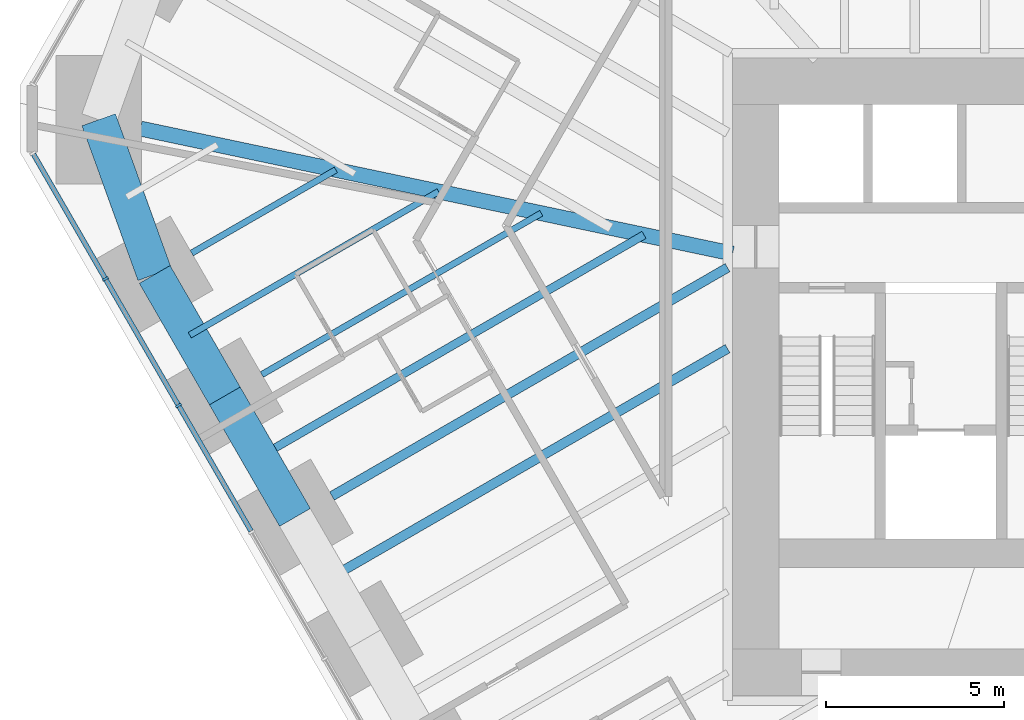
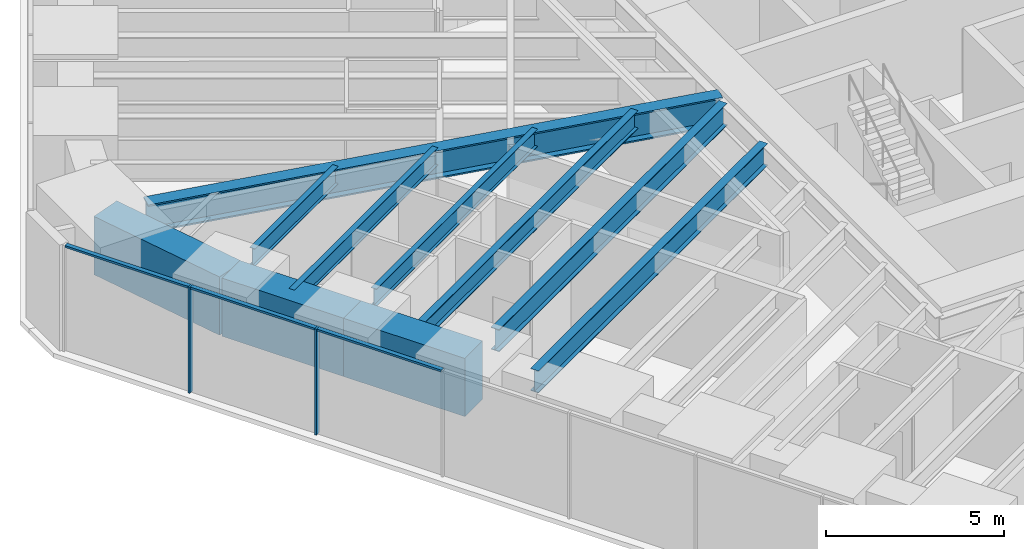
# One storey, part 3 of 17: 10 beams, 5 members, 1 element without a shape of its own.
"""IFC4 building model written with IfcOpenShell, lengths in metres."""

import ifcopenshell
import ifcopenshell.guid

model = None  # the IFC model being written
_history = None  # IfcOwnerHistory: only IFC2X3 demands one
_inside = {}  # id of a spatial element -> (the spatial element, [elements in it])
_under = {}  # id of a project, library or spatial element -> (it, [spatial elements below it])
_declared = {}  # id of a project -> (the project, [libraries it declares])
_typed = {}  # id of a type object -> (the type object, [elements of that type])
_made_of = {}  # id of a material, layer set ... -> (it, [elements and type objects made of it])


def new_model(schema):
    """Start an empty IFC model of exactly this schema.

    Asked for "IFC4X3", IfcOpenShell would pick the latest addendum, in which some entities
    have other attributes; the version numbers below select the first issue.
    IFC2X3 requires an IfcOwnerHistory on every rooted entity: one is made here for all.
    """
    global model, _history
    if schema == "IFC4X3":
        model = ifcopenshell.file(schema_version=(4, 3, 0, 0))
    else:
        model = ifcopenshell.file(schema=schema)
    _inside.clear()
    _under.clear()
    _declared.clear()
    _typed.clear()
    _made_of.clear()
    _history = None
    if model.schema == "IFC2X3":
        org = make("IfcOrganization", Name="unknown")
        user = make(
            "IfcPersonAndOrganization",
            ThePerson=make("IfcPerson", FamilyName="unknown"),
            TheOrganization=org,
        )
        app = make(
            "IfcApplication",
            ApplicationDeveloper=org,
            Version="unknown",
            ApplicationFullName="unknown",
            ApplicationIdentifier="unknown",
        )
        _history = make(
            "IfcOwnerHistory",
            OwningUser=user,
            OwningApplication=app,
            ChangeAction="ADDED",
            CreationDate=0,
        )
    return model


def make(cls, **values):
    """One entity of the class cls with the attributes given. An attribute that is None is left unset."""
    return model.create_entity(
        cls, **{name: value for name, value in values.items() if value is not None}
    )


def rooted(cls, **values):
    """An entity with a GlobalId (a new one), such as an element, a storey or a relation."""
    return make(cls, GlobalId=ifcopenshell.guid.new(), OwnerHistory=_history, **values)


def si_unit(unit_type, name, prefix=None):
    """IfcSIUnit, for example si_unit("LENGTHUNIT", "METRE", prefix="MILLI")."""
    return make("IfcSIUnit", UnitType=unit_type, Prefix=prefix, Name=name)


def assignment(units):
    """IfcUnitAssignment: the units of a project."""
    return None if units is None else make("IfcUnitAssignment", Units=units)


def point(xyz):
    """IfcCartesianPoint."""
    return None if xyz is None else make("IfcCartesianPoint", Coordinates=xyz)


def direction(xyz):
    """IfcDirection."""
    return None if xyz is None else make("IfcDirection", DirectionRatios=xyz)


def frame(location, z_axis=None, x_axis=None):
    """IfcAxis2Placement3D, a coordinate frame: its origin and axes. An axis left out is left unset."""
    return make(
        "IfcAxis2Placement3D",
        Location=point(location),
        Axis=direction(z_axis),
        RefDirection=direction(x_axis),
    )


def frame_2d(location, x_axis=None):
    """IfcAxis2Placement2D, a coordinate frame in the plane: its origin and x axis."""
    return make(
        "IfcAxis2Placement2D", Location=point(location), RefDirection=direction(x_axis)
    )


def origin():
    """The frame at (0, 0, 0) with its axes left unset."""
    return frame((0.0, 0.0, 0.0))


def origin_2d():
    """The frame at (0, 0) in the plane with its x axis left unset."""
    return frame_2d((0.0, 0.0))


def place(relative_to, where):
    """IfcLocalPlacement: puts the frame where relative to a parent placement (None: the world)."""
    return make(
        "IfcLocalPlacement", PlacementRelTo=relative_to, RelativePlacement=where
    )


def context(
    kind, dimensions, precision=None, world=None, true_north=None, identifier=None
):
    """IfcGeometricRepresentationContext, for example the 3D "Model" context."""
    return make(
        "IfcGeometricRepresentationContext",
        ContextIdentifier=identifier,
        ContextType=kind,
        CoordinateSpaceDimension=dimensions,
        Precision=precision,
        WorldCoordinateSystem=world,
        TrueNorth=true_north,
    )


def subcontext(parent, identifier, kind, view, scale=None):
    """IfcGeometricRepresentationSubContext, for example "Body" below "Model"."""
    return make(
        "IfcGeometricRepresentationSubContext",
        ContextIdentifier=identifier,
        ContextType=kind,
        ParentContext=parent,
        TargetScale=scale,
        TargetView=view,
    )


def project(units=None, contexts=None):
    """IfcProject with its units and contexts."""
    return rooted(
        "IfcProject",
        Name="project",
        RepresentationContexts=contexts,
        UnitsInContext=assignment(units),
    )


def spatial(cls, under=None, at=None, **own):
    """A site, building, storey or space (cls), placed at a placement, below another one or the project."""
    s = rooted(cls, ObjectPlacement=at, **own)
    if under is not None:
        _under.setdefault(under.id(), (under, []))[1].append(s)
    return s


def profile(cls, at=None, kind="AREA", **sizes):
    """A parametric profile (cls). Its sizes go by their IFC names, for example OverallWidth=200.0."""
    return make(cls, ProfileType=kind, Position=at, **sizes)


def rectangle(**sizes):
    """IfcRectangleProfileDef."""
    return profile("IfcRectangleProfileDef", **sizes)


def i_section(**sizes):
    """IfcIShapeProfileDef."""
    return profile("IfcIShapeProfileDef", **sizes)


def extrude(swept, where, along, depth):
    """IfcExtrudedAreaSolid: the profile swept, set in the frame where, extruded along a direction by depth."""
    return make(
        "IfcExtrudedAreaSolid",
        SweptArea=swept,
        Position=where,
        ExtrudedDirection=direction(along),
        Depth=depth,
    )


def shape(context_of_items, identifier, shape_type, items):
    """IfcShapeRepresentation: the items that make up one representation, for example the "Body"."""
    return make(
        "IfcShapeRepresentation",
        ContextOfItems=context_of_items,
        RepresentationIdentifier=identifier,
        RepresentationType=shape_type,
        Items=items,
    )


def material(Name=None, Category=None):
    """IfcMaterial."""
    return make("IfcMaterial", Name=Name, Category=Category)


def material_profile(
    of_material, cross_section, Name=None, Category=None, Priority=None
):
    """IfcMaterialProfile: a cross section and its material."""
    return make(
        "IfcMaterialProfile",
        Name=Name,
        Material=of_material,
        Profile=cross_section,
        Priority=Priority,
        Category=Category,
    )


def profile_set(profiles, Name=None, composite=None):
    """IfcMaterialProfileSet."""
    return make(
        "IfcMaterialProfileSet",
        Name=Name,
        MaterialProfiles=profiles,
        CompositeProfile=composite,
    )


def made_of(thing, what):
    """Note that an element or type object is made of a material, layer set ...; save() writes the relation."""
    if what is not None:
        _made_of.setdefault(what.id(), (what, []))[1].append(thing)
    return thing


def type_object(cls, material=None, **own):
    """A type object (cls), such as IfcWallType, which elements share."""
    return made_of(rooted(cls, **own), material)


def element(
    cls,
    number,
    at=None,
    inside=None,
    cuts=None,
    type_object=None,
    material=None,
    context=None,
    identifier="Body",
    shape_type=None,
    held_by="IfcProductDefinitionShape",
    body=None,
    shapes=None,
    **own,
):
    """One element of the class cls, such as IfcWall. Its Tag is "e" and its number.

    at: its placement. inside: the storey or other place that contains it. cuts: it is an
    opening in that element (IfcRelVoidsElement). A single representation is given by context,
    identifier, shape_type and body (its items); several are given by shapes. held_by: the class
    of the entity that holds the representations. save() writes the other relations.
    """
    e = rooted(cls, Tag="e%d" % number, ObjectPlacement=at, **own)
    if body is not None:
        shapes = [shape(context, identifier, shape_type, body)]
    if shapes is not None:
        e.Representation = make(held_by, Representations=shapes)
    if inside is not None:
        _inside.setdefault(inside.id(), (inside, []))[1].append(e)
    if cuts is not None:
        rooted(
            "IfcRelVoidsElement", RelatingBuildingElement=cuts, RelatedOpeningElement=e
        )
    if type_object is not None:
        _typed.setdefault(type_object.id(), (type_object, []))[1].append(e)
    return made_of(e, material)


def aggregate(whole, parts):
    """IfcRelAggregates: a whole, such as a stair, and the parts it consists of."""
    return rooted("IfcRelAggregates", RelatingObject=whole, RelatedObjects=parts)


def save(model, path):
    """Write the relations noted so far, then the file.

    IfcRelAggregates (storeys below a building ...), IfcRelContainedInSpatialStructure (elements
    in a storey), IfcRelDefinesByType, IfcRelAssociatesMaterial and IfcRelDeclares: one each for
    every whole, place, type object, material and project.
    """
    for whole, parts in _under.values():
        aggregate(whole, parts)
    for where, things in _inside.values():
        rooted(
            "IfcRelContainedInSpatialStructure",
            RelatedElements=things,
            RelatingStructure=where,
        )
    for kind, things in _typed.values():
        rooted("IfcRelDefinesByType", RelatedObjects=things, RelatingType=kind)
    for what, things in _made_of.values():
        rooted("IfcRelAssociatesMaterial", RelatedObjects=things, RelatingMaterial=what)
    for by, libraries in _declared.values():
        rooted("IfcRelDeclares", RelatingContext=by, RelatedDefinitions=libraries)
    model.write(path)


model = new_model("IFC4")

# Units and contexts
model_context = context("Model", 3, precision=1e-05, world=origin(), true_north=direction((0.0, 1.0)))
body_context = subcontext(model_context, "Body", "Model", "MODEL_VIEW")
ifc_project = project(units=[si_unit("LENGTHUNIT", "METRE"), si_unit("AREAUNIT", "SQUARE_METRE"), si_unit("VOLUMEUNIT", "CUBIC_METRE"), si_unit("PLANEANGLEUNIT", "RADIAN"), si_unit("MASSUNIT", "GRAM", prefix="KILO")], contexts=[model_context])

# Site, building, storey
site_placement = place(None, origin())
site = spatial("IfcSite", under=ifc_project, at=site_placement, CompositionType="ELEMENT")
building_placement = place(site_placement, origin())
building = spatial("IfcBuilding", under=site, at=building_placement, Name="Sandreach Pilgrim Tower", CompositionType="ELEMENT")
storey_placement = place(building_placement, frame((0.0, 0.0, 100.60009765625)))
storey = spatial("IfcBuildingStorey", under=building, at=storey_placement, Name="L24", CompositionType="ELEMENT", Elevation=100.60009765625)

# Curtain wall, members
ifc_material_1 = material(Name="Aluminium framed curtain wall", Category="aluminium")
curtain_wall_type = type_object("IfcCurtainWallType", Name="Hotel tower curtain wall", PredefinedType="NOTDEFINED", material=ifc_material_1)
curtain_wall_placement = place(storey_placement, origin())
curtain_wall = element("IfcCurtainWall", 1, at=curtain_wall_placement, inside=storey, type_object=curtain_wall_type, Name="CW-2 L24 SW", PredefinedType="NOTDEFINED")
ifc_material_2 = material(Name="Aluminium extrusion", Category="aluminium")
ifc_material_profile_1 = material_profile(ifc_material_2, rectangle(XDim=0.06494140625, YDim=0.179931640625, at=origin_2d()), Name="CW-2M 65X180")
ifc_profile_set_1 = profile_set([ifc_material_profile_1], Name="Aluminium extrusion")
member_type_1 = type_object("IfcMemberType", Name="CW-2 mullion", PredefinedType="MULLION", material=ifc_profile_set_1)
member_1_placement = place(storey_placement, frame((-24.614013671875, -2.35498046875, 0.0), z_axis=(0.0, 0.0, 1.0), x_axis=(-0.5, 0.866025403784, 0.0)))
member_1 = element("IfcMember", 2, at=member_1_placement, type_object=member_type_1, Name="CW-2 mullion 8", PredefinedType="MULLION", context=body_context, shape_type="SweptSolid", body=[
    extrude(rectangle(XDim=0.06494140625, YDim=0.179931640625, at=origin_2d()), origin(), (0.0, 0.0, 1.0), 3.639892578125),
])
member_2_placement = place(storey_placement, frame((-26.66748046875, 1.20166015625, 0.0), z_axis=(0.0, 0.0, 1.0), x_axis=(-0.5, 0.866025403784, 0.0)))
member_2 = element("IfcMember", 3, at=member_2_placement, type_object=member_type_1, Name="CW-2 mullion 9", PredefinedType="MULLION", context=body_context, shape_type="SweptSolid", body=[
    extrude(rectangle(XDim=0.06494140625, YDim=0.179931640625, at=origin_2d()), origin(), (0.0, 0.0, 1.0), 3.639892578125),
])
ifc_material_3 = material(Name="Aluminium extrusion", Category="aluminium")
ifc_material_profile_2 = material_profile(ifc_material_3, rectangle(XDim=0.139892578125, YDim=0.070068359375, at=origin_2d()), Name="CW-2T 140X70")
ifc_profile_set_2 = profile_set([ifc_material_profile_2], Name="Aluminium extrusion")
member_type_2 = type_object("IfcMemberType", Name="CW-2 transom", PredefinedType="USERDEFINED", material=ifc_profile_set_2)
member_3_placement = place(storey_placement, frame((-22.57666015625, -5.883544921875, 3.60498046875), z_axis=(-0.500023973715, 0.866011562111, 0.0), x_axis=(-0.866011562111, -0.500023973715, 0.0)))
member_3 = element("IfcMember", 4, at=member_3_placement, type_object=member_type_2, Name="CW-2 head transom 7", ObjectType="TRANSOM", PredefinedType="USERDEFINED", context=body_context, shape_type="SweptSolid", body=[
    extrude(rectangle(XDim=0.139892578125, YDim=0.070068359375, at=origin_2d()), origin(), (0.0, 0.0, 1.0), 4.041748046875),
])
member_4_placement = place(storey_placement, frame((-24.630126953125, -2.326904296875, 3.60498046875), z_axis=(-0.499997818338, 0.866026663364, 0.0), x_axis=(-0.866026663364, -0.499997818338, 0.0)))
member_4 = element("IfcMember", 5, at=member_4_placement, type_object=member_type_2, Name="CW-2 head transom 8", ObjectType="TRANSOM", PredefinedType="USERDEFINED", context=body_context, shape_type="SweptSolid", body=[
    extrude(rectangle(XDim=0.139892578125, YDim=0.070068359375, at=origin_2d()), origin(), (0.0, 0.0, 1.0), 4.0419921875),
])
member_5_placement = place(storey_placement, frame((-26.68359375, 1.229736328125, 3.60498046875), z_axis=(-0.500015851672, 0.866016251624, 0.0), x_axis=(-0.866016251624, -0.500015851672, 0.0)))
member_5 = element("IfcMember", 6, at=member_5_placement, type_object=member_type_2, Name="CW-2 head transom 9", ObjectType="TRANSOM", PredefinedType="USERDEFINED", context=body_context, shape_type="SweptSolid", body=[
    extrude(rectangle(XDim=0.139892578125, YDim=0.070068359375, at=origin_2d()), origin(), (0.0, 0.0, 1.0), 4.009521484375),
])
aggregate(curtain_wall, [member_1, member_2, member_3, member_4, member_5])

# Beams
ifc_material_4 = material(Name="Steel ASTM A992 Grade 50", Category="steel")
ifc_material_profile_3 = material_profile(ifc_material_4, i_section(OverallWidth=0.424072265625, OverallDepth=0.965087890625, WebThickness=0.028564453125, FlangeThickness=0.051025390625, at=origin_2d()), Name="W36X361")
ifc_profile_set_3 = profile_set([ifc_material_profile_3], Name="Steel ASTM A992 Grade 50")
beam_type_1 = type_object("IfcBeamType", Name="Corner girder W36X361", PredefinedType="BEAM", material=ifc_profile_set_3)
beam_1_placement = place(storey_placement, frame((-25.68310546875, 5.422607421875, 3.1572265625), z_axis=(0.978427865996, -0.206588748585, 0.0), x_axis=(0.206588748585, 0.978427865996, 0.0)))
element("IfcBeam", 7, at=beam_1_placement, inside=storey, type_object=beam_type_1, Name="BM L24 CG35", PredefinedType="BEAM", context=body_context, shape_type="SweptSolid", body=[
    extrude(i_section(OverallWidth=0.424072265625, OverallDepth=0.965087890625, WebThickness=0.028564453125, FlangeThickness=0.051025390625, at=origin_2d()), origin(), (0.0, 0.0, 1.0), 16.999755859375),
])
ifc_material_5 = material(Name="Steel ASTM A992 Grade 50", Category="steel")
ifc_material_profile_4 = material_profile(ifc_material_5, i_section(OverallWidth=0.1787109375, OverallDepth=0.60205078125, WebThickness=0.010986328125, FlangeThickness=0.014892578125, at=origin_2d()), Name="W24X62")
ifc_profile_set_4 = profile_set([ifc_material_profile_4], Name="Steel ASTM A992 Grade 50")
beam_type_2 = type_object("IfcBeamType", Name="Floor beam W24X62", PredefinedType="BEAM", material=ifc_profile_set_4)
beam_2_placement = place(storey_placement, frame((-22.274658203125, -1.486572265625, 3.3388671875), z_axis=(0.866020076177, 0.500009227573, 0.0), x_axis=(-0.500009227573, 0.866020076177, 0.0)))
element("IfcBeam", 8, at=beam_2_placement, inside=storey, type_object=beam_type_2, Name="BM L24 F33", PredefinedType="BEAM", context=body_context, shape_type="SweptSolid", body=[
    extrude(i_section(OverallWidth=0.1787109375, OverallDepth=0.60205078125, WebThickness=0.010986328125, FlangeThickness=0.014892578125, at=origin_2d()), origin(), (0.0, 0.0, 1.0), 9.064208984375),
])
beam_3_placement = place(storey_placement, frame((-24.24462890625, 1.925537109375, 3.3388671875), z_axis=(0.866040404911, 0.499974016386, 0.0), x_axis=(-0.499974016386, 0.866040404911, 0.0)))
element("IfcBeam", 9, at=beam_3_placement, inside=storey, type_object=beam_type_2, Name="BM L24 F34", PredefinedType="BEAM", context=body_context, shape_type="SweptSolid", body=[
    extrude(i_section(OverallWidth=0.1787109375, OverallDepth=0.60205078125, WebThickness=0.010986328125, FlangeThickness=0.014892578125, at=origin_2d()), origin(), (0.0, 0.0, 1.0), 4.676513671875),
])
beam_4_placement = place(storey_placement, frame((-24.298828125, -0.380615234375, 3.3388671875), z_axis=(0.866022864518, 0.500004398112, 0.0), x_axis=(-0.500004398112, 0.866022864518, 0.0)))
element("IfcBeam", 10, at=beam_4_placement, inside=storey, type_object=beam_type_2, Name="BM L24 FM33", PredefinedType="BEAM", context=body_context, shape_type="SweptSolid", body=[
    extrude(i_section(OverallWidth=0.1787109375, OverallDepth=0.60205078125, WebThickness=0.010986328125, FlangeThickness=0.014892578125, at=origin_2d()), origin(), (0.0, 0.0, 1.0), 8.0703125),
])
ifc_material_6 = material(Name="Steel ASTM A992 Grade 50", Category="steel")
ifc_material_profile_5 = material_profile(ifc_material_6, i_section(OverallWidth=0.23046875, OverallDepth=0.6171875, WebThickness=0.01318359375, FlangeThickness=0.022216796875, at=origin_2d()), Name="W24X94")
ifc_profile_set_5 = profile_set([ifc_material_profile_5], Name="Steel ASTM A992 Grade 50")
beam_type_3 = type_object("IfcBeamType", Name="Floor beam W24X94", PredefinedType="BEAM", material=ifc_profile_set_5)
beam_5_placement = place(storey_placement, frame((-22.328857421875, -3.792724609375, 3.331298828125), z_axis=(0.866019150617, 0.500010830648, 0.0), x_axis=(-0.500010830648, 0.866019150617, 0.0)))
element("IfcBeam", 11, at=beam_5_placement, inside=storey, type_object=beam_type_3, Name="BM L24 FM32", PredefinedType="BEAM", context=body_context, shape_type="SweptSolid", body=[
    extrude(i_section(OverallWidth=0.23046875, OverallDepth=0.6171875, WebThickness=0.01318359375, FlangeThickness=0.022216796875, at=origin_2d()), origin(), (0.0, 0.0, 1.0), 12.458251953125),
])
ifc_material_7 = material(Name="Steel ASTM A992 Grade 50", Category="steel")
ifc_material_profile_6 = material_profile(ifc_material_7, i_section(OverallWidth=0.2666015625, OverallDepth=0.761962890625, WebThickness=0.014404296875, FlangeThickness=0.021484375, at=origin_2d()), Name="W30X116")
ifc_profile_set_6 = profile_set([ifc_material_profile_6], Name="Steel ASTM A992 Grade 50")
beam_type_4 = type_object("IfcBeamType", Name="Floor beam W30X116", PredefinedType="BEAM", material=ifc_profile_set_6)
beam_6_placement = place(storey_placement, frame((-20.3046875, -4.898681640625, 3.2587890625), z_axis=(0.866028414947, 0.499994784478, 0.0), x_axis=(-0.499994784478, 0.866028414947, 0.0)))
element("IfcBeam", 12, at=beam_6_placement, inside=storey, type_object=beam_type_4, Name="BM L24 F32", PredefinedType="BEAM", context=body_context, shape_type="SweptSolid", body=[
    extrude(i_section(OverallWidth=0.2666015625, OverallDepth=0.761962890625, WebThickness=0.014404296875, FlangeThickness=0.021484375, at=origin_2d()), origin(), (0.0, 0.0, 1.0), 12.830322265625),
])
beam_7_placement = place(storey_placement, frame((-20.35888671875, -7.204833984375, 3.2587890625), z_axis=(0.866021609098, 0.500006572533, 0.0), x_axis=(-0.500006572533, 0.866021609098, 0.0)))
element("IfcBeam", 13, at=beam_7_placement, inside=storey, type_object=beam_type_4, Name="BM L24 FM31", PredefinedType="BEAM", context=body_context, shape_type="SweptSolid", body=[
    extrude(i_section(OverallWidth=0.2666015625, OverallDepth=0.761962890625, WebThickness=0.014404296875, FlangeThickness=0.021484375, at=origin_2d()), origin(), (0.0, 0.0, 1.0), 12.892822265625),
])
ifc_material_8 = material(Name="Concrete 10000 psi", Category="concrete")
ifc_material_profile_7 = material_profile(ifc_material_8, rectangle(XDim=1.0, YDim=2.0, at=origin_2d()), Name="RC1000X2000")
ifc_profile_set_7 = profile_set([ifc_material_profile_7], Name="Concrete 10000 psi")
beam_type_5 = type_object("IfcBeamType", Name="Spandrel beam RC1000X2000", PredefinedType="SPANDREL", material=ifc_profile_set_7)
for number, where, z_axis, x_axis, name in (
    (14, (-21.343994140625, -5.498779296875, 2.639892578125), (-0.49999779889, 0.866026674592, 0.0), (-0.866026674592, -0.49999779889, 0.0), "BM L24 SP32"),
    (15, (-23.31396484375, -2.086669921875, 2.639892578125), (-0.49999779889, 0.866026674592, 0.0), (-0.866026674592, -0.49999779889, 0.0), "BM L24 SP33"),
):
    element("IfcBeam", number, at=place(storey_placement, frame(where, z_axis=z_axis, x_axis=x_axis)), inside=storey, type_object=beam_type_5, Name=name, PredefinedType="SPANDREL", context=body_context, shape_type="SweptSolid", body=[
        extrude(rectangle(XDim=1.0, YDim=2.0, at=origin_2d()), origin(), (0.0, 0.0, 1.0), 3.93994140625),
    ])
beam_8_placement = place(storey_placement, frame((-25.283935546875, 1.325439453125, 2.639892578125), z_axis=(-0.340453163563, 0.940261476091, 0.0), x_axis=(-0.940261476091, -0.340453163563, 0.0)))
element("IfcBeam", 16, at=beam_8_placement, inside=storey, type_object=beam_type_5, Name="BM L24 SP34", PredefinedType="SPANDREL", context=body_context, shape_type="SweptSolid", body=[
    extrude(rectangle(XDim=1.0, YDim=2.0, at=origin_2d()), origin(), (0.0, 0.0, 1.0), 4.62109375),
])

save(model, "model.ifc")
